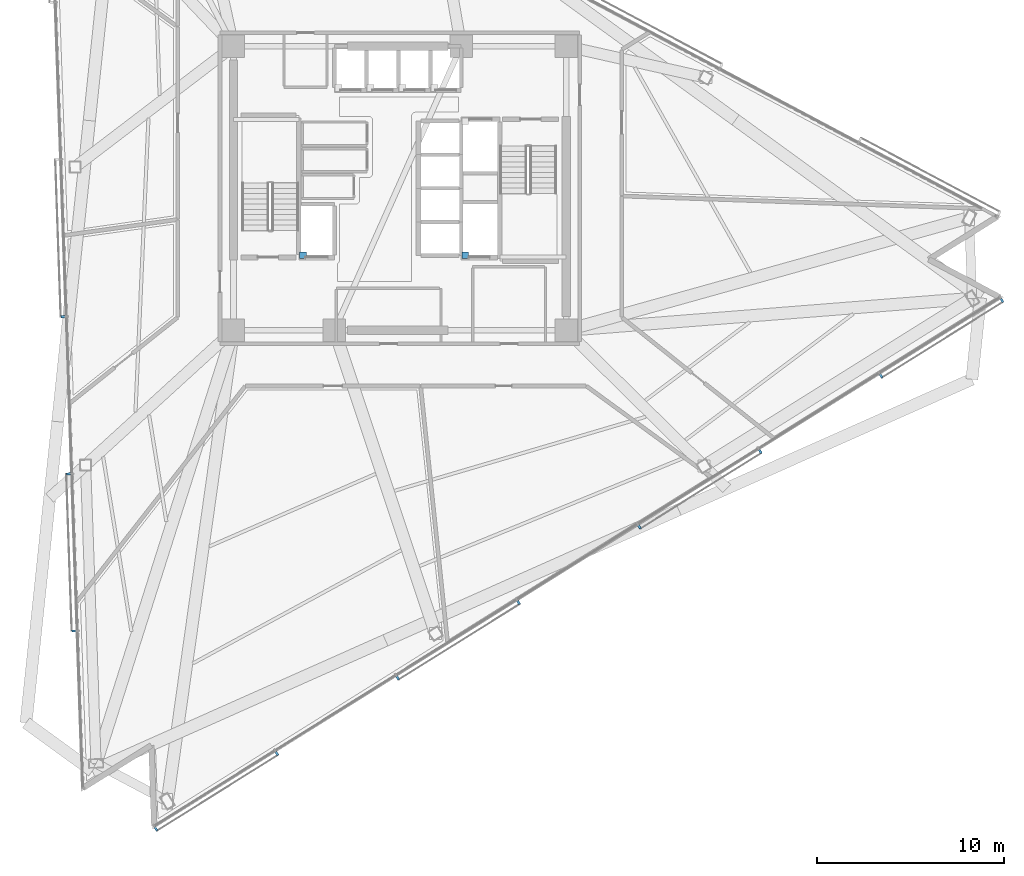
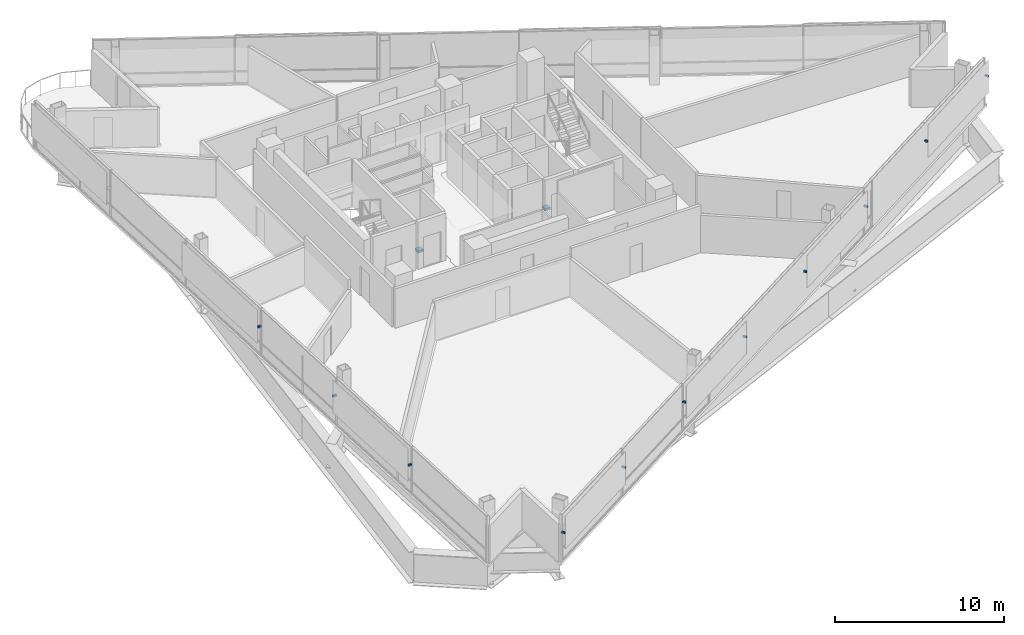
# One storey, part 15 of 20: 13 discrete accessories.
"""IFC4 building model written with IfcOpenShell, lengths in metres."""

from ifc_helpers import new_model, si_unit, direction, frame, origin, origin_2d, place, context, subcontext, project, spatial, rectangle, extrude, material, type_object, element, save


model = new_model("IFC4")

# Units and contexts
model_context = context("Model", 3, precision=1e-05, world=origin(), true_north=direction((0.0, 1.0)))
body_context = subcontext(model_context, "Body", "Model", "MODEL_VIEW")
ifc_project = project(units=[si_unit("LENGTHUNIT", "METRE"), si_unit("AREAUNIT", "SQUARE_METRE"), si_unit("VOLUMEUNIT", "CUBIC_METRE"), si_unit("PLANEANGLEUNIT", "RADIAN"), si_unit("MASSUNIT", "GRAM", prefix="KILO")], contexts=[model_context])

# Site, building, storey
site_placement = place(None, origin())
site = spatial("IfcSite", under=ifc_project, at=site_placement, CompositionType="ELEMENT")
building_placement = place(site_placement, origin())
building = spatial("IfcBuilding", under=site, at=building_placement, Name="Tharavind Bronze Gate", CompositionType="ELEMENT")
storey_placement = place(building_placement, frame((0.0, 0.0, 138.800048828125)))
storey = spatial("IfcBuildingStorey", under=building, at=storey_placement, Name="L35", CompositionType="ELEMENT", Elevation=138.800048828125)

# Discrete accessories
ifc_material_1 = material(Name="Galvanised Steel S355", Category="steel")
discrete_accessory_type_1 = type_object("IfcDiscreteAccessoryType", Name="LIFT GUIDE RAIL BRACKET", PredefinedType="BRACKET", material=ifc_material_1)
for number, where, z_axis, x_axis, name in (
    (1, (-5.179931640625, -3.580078125, 1.1201171875), (0.0, 0.0, 1.0), (1.0, 0.0, 0.0), "Lift FFL1 guide rail bracket at L35"),
    (2, (3.5, -3.580078125, 1.1201171875), (0.0, 0.0, 1.0), (1.0, 0.0, 0.0), "Lift SVL1 guide rail bracket at L35"),
):
    element("IfcDiscreteAccessory", number, at=place(storey_placement, frame(where, z_axis=z_axis, x_axis=x_axis)), inside=storey, type_object=discrete_accessory_type_1, Name=name, PredefinedType="BRACKET", context=body_context, shape_type="SweptSolid", body=[
        extrude(rectangle(XDim=0.360107421875, YDim=0.360107421875, at=origin_2d()), origin(), (0.0, 0.0, 1.0), 0.159912109375),
    ])
ifc_material_2 = material(Name="Stainless Steel 316", Category="steel")
discrete_accessory_type_2 = type_object("IfcDiscreteAccessoryType", Name="SOLAR SCREEN STANDOFF BRACKET", PredefinedType="BRACKET", material=ifc_material_2)
for number, where, z_axis, x_axis, name in (
    (3, (-18.018798828125, -6.8701171875, 2.094970703125), (0.0, 0.0, 1.0), (0.034899496703, -0.999390827019, 0.0), "CW-L35-S1 solar screen bracket 3.2"),
    (4, (-17.72509765625, -15.279541015625, 2.094970703125), (0.0, 0.0, 1.0), (0.034899496703, -0.999390827019, 0.0), "CW-L35-S1 solar screen bracket 5.1"),
    (5, (-17.431396484375, -23.68896484375, 2.094970703125), (0.0, 0.0, 1.0), (0.034899496703, -0.999390827019, 0.0), "CW-L35-S1 solar screen bracket 5.2"),
    (6, (-13.048095703125, -34.27294921875, 2.094970703125), (0.0, 0.0, 1.0), (0.848048096156, 0.529919264233, 0.0), "CW-L35-S2 solar screen bracket 1.1"),
    (7, (-6.582763671875, -30.23291015625, 2.094970703125), (0.0, 0.0, 1.0), (0.848048096156, 0.529919264233, 0.0), "CW-L35-S2 solar screen bracket 1.2"),
    (8, (-0.1171875, -26.19287109375, 2.094970703125), (0.0, 0.0, 1.0), (0.848048096156, 0.529919264233, 0.0), "CW-L35-S2 solar screen bracket 3.1"),
    (9, (6.34814453125, -22.15283203125, 2.094970703125), (0.0, 0.0, 1.0), (0.848048096156, 0.529919264233, 0.0), "CW-L35-S2 solar screen bracket 3.2"),
    (10, (12.813720703125, -18.11279296875, 2.094970703125), (0.0, 0.0, 1.0), (0.848048096156, 0.529919264233, 0.0), "CW-L35-S2 solar screen bracket 5.1"),
    (11, (19.279052734375, -14.07275390625, 2.094970703125), (0.0, 0.0, 1.0), (0.848048096156, 0.529919264233, 0.0), "CW-L35-S2 solar screen bracket 5.2"),
    (12, (25.744384765625, -10.03271484375, 2.094970703125), (0.0, 0.0, 1.0), (0.848048096156, 0.529919264233, 0.0), "CW-L35-S2 solar screen bracket 7.1"),
    (13, (32.2099609375, -5.992431640625, 2.094970703125), (0.0, 0.0, 1.0), (0.848048096156, 0.529919264233, 0.0), "CW-L35-S2 solar screen bracket 7.2"),
):
    element("IfcDiscreteAccessory", number, at=place(storey_placement, frame(where, z_axis=z_axis, x_axis=x_axis)), inside=storey, type_object=discrete_accessory_type_2, Name=name, PredefinedType="BRACKET", context=body_context, shape_type="SweptSolid", body=[
        extrude(rectangle(XDim=0.1201171875, YDim=0.239990234375, at=origin_2d()), origin(), (0.0, 0.0, 1.0), 0.1201171875),
    ])

save(model, "model.ifc")
